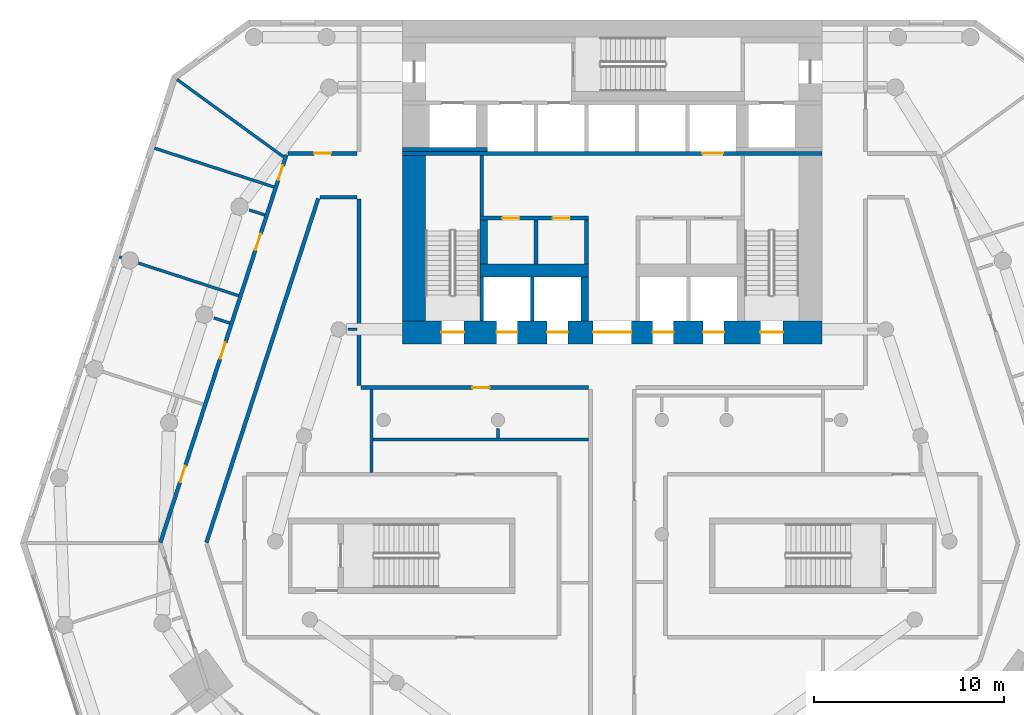
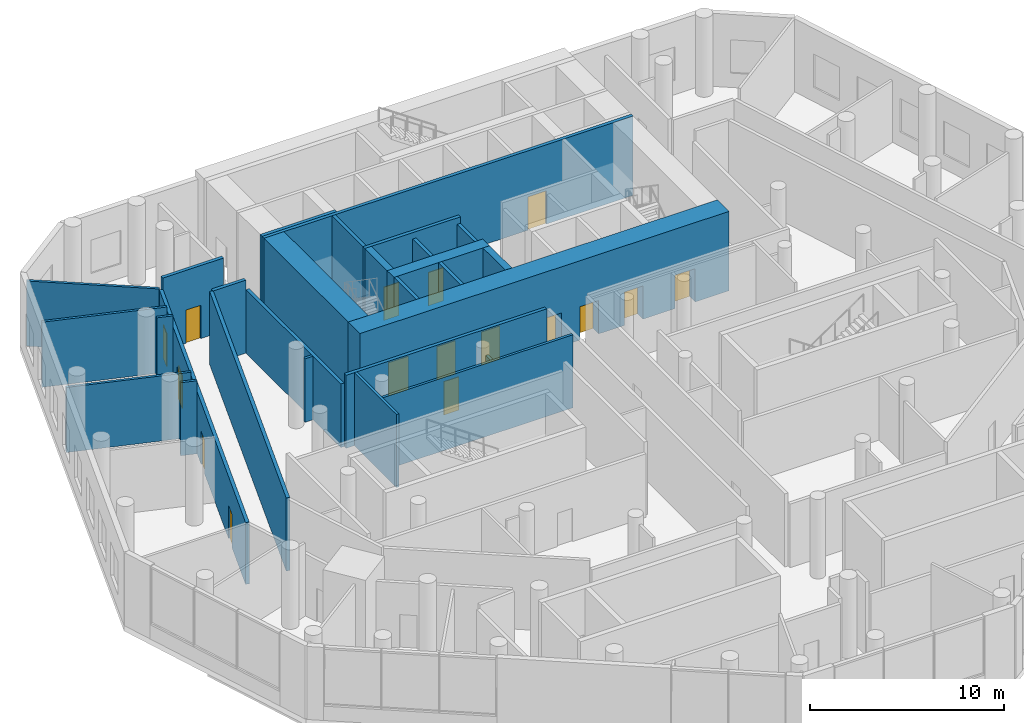
# One storey, part 10 of 15: 28 walls, 16 doors, 16 openings.
"""IFC4 building model written with IfcOpenShell, lengths in metres."""

from ifc_helpers import new_model, si_unit, direction, frame, frame_2d, origin, place, context, subcontext, project, spatial, rectangle, extrude, material, layer, layer_set, type_object, element, fill, save


model = new_model("IFC4")

# Units and contexts
model_context = context("Model", 3, precision=1e-05, world=origin(), true_north=direction((0.0, 1.0)))
body_context = subcontext(model_context, "Body", "Model", "MODEL_VIEW")
ifc_project = project(units=[si_unit("LENGTHUNIT", "METRE"), si_unit("AREAUNIT", "SQUARE_METRE"), si_unit("VOLUMEUNIT", "CUBIC_METRE"), si_unit("PLANEANGLEUNIT", "RADIAN"), si_unit("MASSUNIT", "GRAM", prefix="KILO")], contexts=[model_context])

# Site, building, storey
site_placement = place(None, origin())
site = spatial("IfcSite", under=ifc_project, at=site_placement, CompositionType="ELEMENT")
building_placement = place(site_placement, origin())
building = spatial("IfcBuilding", under=site, at=building_placement, Name="White Candle Pilgrim Tower", CompositionType="ELEMENT")
storey_placement = place(building_placement, frame((0.0, 0.0, 34.0)))
storey = spatial("IfcBuildingStorey", under=building, at=storey_placement, Name="L05", CompositionType="ELEMENT", Elevation=34.0)

# Wall
ifc_material_1 = material(Name="Concrete C70/85", Category="concrete")
ifc_layer_1 = layer(ifc_material_1, 0.199951171875)
ifc_layer_set_1 = layer_set([ifc_layer_1], Name="Core wall 200 mm Concrete C70/85")
wall_type_1 = type_object("IfcWallType", Name="Core wall 200 mm Concrete C70/85", PredefinedType="SHEAR", material=ifc_layer_set_1)
wall_1_placement = place(storey_placement, frame((59.0, 81.199951171875, 0.0), z_axis=(0.0, 0.0, 1.0), x_axis=(1.0, 0.0, 0.0)))
element("IfcWall", 1, at=wall_1_placement, inside=storey, type_object=wall_type_1, Name="WL-L05-C43", PredefinedType="SHEAR", context=body_context, shape_type="SweptSolid", body=[
    extrude(rectangle(XDim=4.449951171875, YDim=0.199951171875, at=frame_2d((2.22509765625, 0.0))), origin(), (0.0, 0.0, 1.0), 5.0),
])

# Wall, openings, doors
ifc_material_2 = material(Name="Gypsum board on steel studs", Category="steel")
ifc_layer_2 = layer(ifc_material_2, 0.199951171875)
ifc_layer_set_2 = layer_set([ifc_layer_2], Name="Corridor wall 200 mm EI 45")
wall_type_2 = type_object("IfcWallType", Name="Corridor wall 200 mm EI 45", PredefinedType="PARTITIONING", material=ifc_layer_set_2)
wall_2_placement = place(storey_placement, frame((46.279052734375, 60.570068359375, 0.0), z_axis=(0.0, 0.0, 1.0), x_axis=(0.309020575415, 0.951055352737, 0.0)))
wall_2 = element("IfcWall", 2, at=wall_2_placement, inside=storey, type_object=wall_type_2, Name="WL-L05-P005", PredefinedType="PARTITIONING", context=body_context, shape_type="SweptSolid", body=[
    extrude(rectangle(XDim=21.40869140625, YDim=0.199951171875, at=frame_2d((10.704345703125, 0.0))), origin(), (0.0, 0.0, 1.0), 3.89990234375),
])
opening_1_placement = place(wall_2_placement, frame((20.004638671875, 0.0, 0.0)))
opening_1 = element("IfcOpeningElement", 3, at=opening_1_placement, cuts=wall_2, Name="Opening L05-101", PredefinedType="OPENING", context=body_context, shape_type="SweptSolid", body=[
    extrude(rectangle(XDim=0.800048828125, YDim=2.10009765625, at=frame_2d((0.39990234375, 1.050048828125))), frame((0.0, 0.10986328125, 0.0), z_axis=(0.0, -1.0, 0.0), x_axis=(1.0, 0.0, 0.0)), (0.0, 0.0, 1.0), 0.219970703125),
])
opening_2_placement = place(wall_2_placement, frame((16.14208984375, 0.0, 0.0)))
opening_2 = element("IfcOpeningElement", 4, at=opening_2_placement, cuts=wall_2, Name="Opening L05-102", PredefinedType="OPENING", context=body_context, shape_type="SweptSolid", body=[
    extrude(rectangle(XDim=0.89990234375, YDim=2.10009765625, at=frame_2d((0.449951171875, 1.050048828125))), frame((0.0, 0.10986328125, 0.0), z_axis=(0.0, -1.0, 0.0), x_axis=(1.0, 0.0, 0.0)), (0.0, 0.0, 1.0), 0.219970703125),
])
opening_3_placement = place(wall_2_placement, frame((10.14208984375, 0.0, 0.0)))
opening_3 = element("IfcOpeningElement", 5, at=opening_3_placement, cuts=wall_2, Name="Opening L05-103", PredefinedType="OPENING", context=body_context, shape_type="SweptSolid", body=[
    extrude(rectangle(XDim=0.89990234375, YDim=2.10009765625, at=frame_2d((0.449951171875, 1.050048828125))), frame((0.0, 0.10986328125, 0.0), z_axis=(0.0, -1.0, 0.0), x_axis=(1.0, 0.0, 0.0)), (0.0, 0.0, 1.0), 0.219970703125),
])
opening_4_placement = place(wall_2_placement, frame((3.329833984375, 0.0, 0.0)))
opening_4 = element("IfcOpeningElement", 6, at=opening_4_placement, cuts=wall_2, Name="Opening L05-104", PredefinedType="OPENING", context=body_context, shape_type="SweptSolid", body=[
    extrude(rectangle(XDim=0.89990234375, YDim=2.10009765625, at=frame_2d((0.449951171875, 1.050048828125))), frame((0.0, 0.10986328125, 0.0), z_axis=(0.0, -1.0, 0.0), x_axis=(1.0, 0.0, 0.0)), (0.0, 0.0, 1.0), 0.219970703125),
])
ifc_material_3 = material(Name="Steel door leaf", Category="steel")
door_type_1 = type_object("IfcDoorType", Name="Fire door 800 x 2100 EI 30", OperationType="NOTDEFINED", PredefinedType="DOOR", material=ifc_material_3)
door_1_placement = place(opening_1_placement, origin())
door_1 = element("IfcDoor", 7, at=door_1_placement, inside=storey, type_object=door_type_1, Name="Door L05-101", OperationType="SINGLE_SWING_LEFT", OverallHeight=2.10009765625, OverallWidth=0.800048828125, PredefinedType="DOOR", context=body_context, shape_type="SweptSolid", body=[
    extrude(rectangle(XDim=0.800048828125, YDim=2.10009765625, at=frame_2d((0.39990234375, 1.050048828125))), frame((0.0, 0.02490234375, 0.0), z_axis=(0.0, -1.0, 0.0), x_axis=(1.0, 0.0, 0.0)), (0.0, 0.0, 1.0), 0.050048828125),
])
fill(opening_1, door_1)
door_type_2 = type_object("IfcDoorType", Name="Fire door 900 x 2100 EI 30", OperationType="NOTDEFINED", PredefinedType="DOOR", material=ifc_material_3)
door_2_placement = place(opening_2_placement, origin())
door_2 = element("IfcDoor", 8, at=door_2_placement, inside=storey, type_object=door_type_2, Name="Door L05-102", OperationType="SINGLE_SWING_RIGHT", OverallHeight=2.10009765625, OverallWidth=0.89990234375, PredefinedType="DOOR", context=body_context, shape_type="SweptSolid", body=[
    extrude(rectangle(XDim=0.89990234375, YDim=2.10009765625, at=frame_2d((0.449951171875, 1.050048828125))), frame((0.0, 0.02490234375, 0.0), z_axis=(0.0, -1.0, 0.0), x_axis=(1.0, 0.0, 0.0)), (0.0, 0.0, 1.0), 0.050048828125),
])
fill(opening_2, door_2)
door_3_placement = place(opening_3_placement, origin())
door_3 = element("IfcDoor", 9, at=door_3_placement, inside=storey, type_object=door_type_2, Name="Door L05-103", OperationType="SINGLE_SWING_LEFT", OverallHeight=2.10009765625, OverallWidth=0.89990234375, PredefinedType="DOOR", context=body_context, shape_type="SweptSolid", body=[
    extrude(rectangle(XDim=0.89990234375, YDim=2.10009765625, at=frame_2d((0.449951171875, 1.050048828125))), frame((0.0, 0.02490234375, 0.0), z_axis=(0.0, -1.0, 0.0), x_axis=(1.0, 0.0, 0.0)), (0.0, 0.0, 1.0), 0.050048828125),
])
fill(opening_3, door_3)
door_4_placement = place(opening_4_placement, origin())
door_4 = element("IfcDoor", 10, at=door_4_placement, inside=storey, type_object=door_type_2, Name="Door L05-104", OperationType="SINGLE_SWING_RIGHT", OverallHeight=2.10009765625, OverallWidth=0.89990234375, PredefinedType="DOOR", context=body_context, shape_type="SweptSolid", body=[
    extrude(rectangle(XDim=0.89990234375, YDim=2.10009765625, at=frame_2d((0.449951171875, 1.050048828125))), frame((0.0, 0.02490234375, 0.0), z_axis=(0.0, -1.0, 0.0), x_axis=(1.0, 0.0, 0.0)), (0.0, 0.0, 1.0), 0.050048828125),
])
fill(opening_4, door_4)

# Wall, opening, door
wall_3_placement = place(storey_placement, frame((52.989990234375, 81.0, 0.0), z_axis=(0.0, 0.0, 1.0), x_axis=(1.0, 0.0, 0.0)))
wall_3 = element("IfcWall", 11, at=wall_3_placement, inside=storey, type_object=wall_type_2, Name="WL-L05-P006", PredefinedType="PARTITIONING", context=body_context, shape_type="SweptSolid", body=[
    extrude(rectangle(XDim=3.610107421875, YDim=0.199951171875, at=frame_2d((1.80517578125, 0.0))), origin(), (0.0, 0.0, 1.0), 4.60009765625),
])
opening_5_placement = place(wall_3_placement, frame((1.35498046875, 0.0, 0.0)))
opening_5 = element("IfcOpeningElement", 12, at=opening_5_placement, cuts=wall_3, Name="Opening L05-128", PredefinedType="OPENING", context=body_context, shape_type="SweptSolid", body=[
    extrude(rectangle(XDim=0.89990234375, YDim=2.10009765625, at=frame_2d((0.449951171875, 1.050048828125))), frame((0.0, 0.10986328125, 0.0), z_axis=(0.0, -1.0, 0.0), x_axis=(1.0, 0.0, 0.0)), (0.0, 0.0, 1.0), 0.219970703125),
])
door_5_placement = place(opening_5_placement, origin())
door_5 = element("IfcDoor", 13, at=door_5_placement, inside=storey, type_object=door_type_2, Name="Door L05-128", OperationType="SINGLE_SWING_RIGHT", OverallHeight=2.10009765625, OverallWidth=0.89990234375, PredefinedType="DOOR", context=body_context, shape_type="SweptSolid", body=[
    extrude(rectangle(XDim=0.89990234375, YDim=2.10009765625, at=frame_2d((0.449951171875, 1.050048828125))), frame((0.0, 0.02490234375, 0.0), z_axis=(0.0, -1.0, 0.0), x_axis=(1.0, 0.0, 0.0)), (0.0, 0.0, 1.0), 0.050048828125),
])
fill(opening_5, door_5)

wall_4_placement = place(storey_placement, frame((68.75, 68.699951171875, 0.0), z_axis=(0.0, 0.0, 1.0), x_axis=(-1.0, 0.0, 0.0)))
wall_4 = element("IfcWall", 14, at=wall_4_placement, inside=storey, type_object=wall_type_2, Name="WL-L05-P028", PredefinedType="PARTITIONING", context=body_context, shape_type="SweptSolid", body=[
    extrude(rectangle(XDim=11.949951171875, YDim=0.199951171875, at=frame_2d((5.97509765625, 0.0))), origin(), (0.0, 0.0, 1.0), 4.60009765625),
])
opening_6_placement = place(wall_4_placement, frame((5.194580078125, 0.0, 0.0)))
opening_6 = element("IfcOpeningElement", 15, at=opening_6_placement, cuts=wall_4, Name="Opening L05-123", PredefinedType="OPENING", context=body_context, shape_type="SweptSolid", body=[
    extrude(rectangle(XDim=0.89990234375, YDim=2.10009765625, at=frame_2d((0.449951171875, 1.050048828125))), frame((0.0, 0.10986328125, 0.0), z_axis=(0.0, -1.0, 0.0), x_axis=(1.0, 0.0, 0.0)), (0.0, 0.0, 1.0), 0.219970703125),
])
door_6_placement = place(opening_6_placement, origin())
door_6 = element("IfcDoor", 16, at=door_6_placement, inside=storey, type_object=door_type_2, Name="Door L05-123", OperationType="SINGLE_SWING_LEFT", OverallHeight=2.10009765625, OverallWidth=0.89990234375, PredefinedType="DOOR", context=body_context, shape_type="SweptSolid", body=[
    extrude(rectangle(XDim=0.89990234375, YDim=2.10009765625, at=frame_2d((0.449951171875, 1.050048828125))), frame((0.0, 0.02490234375, 0.0), z_axis=(0.0, -1.0, 0.0), x_axis=(1.0, 0.0, 0.0)), (0.0, 0.0, 1.0), 0.050048828125),
])
fill(opening_6, door_6)

# Walls
wall_5_placement = place(storey_placement, frame((56.699951171875, 68.800048828125, 0.0), z_axis=(0.0, 0.0, 1.0), x_axis=(0.0, 1.0, 0.0)))
element("IfcWall", 17, at=wall_5_placement, inside=storey, type_object=wall_type_2, Name="WL-L05-P029", PredefinedType="PARTITIONING", context=body_context, shape_type="SweptSolid", body=[
    extrude(rectangle(XDim=9.800048828125, YDim=0.199951171875, at=frame_2d((4.89990234375, 0.0))), origin(), (0.0, 0.0, 1.0), 4.0),
])
wall_6_placement = place(storey_placement, frame((56.60009765625, 78.699951171875, 0.0), z_axis=(0.0, 0.0, 1.0), x_axis=(-1.0, 0.0, 0.0)))
element("IfcWall", 18, at=wall_6_placement, inside=storey, type_object=wall_type_2, Name="WL-L05-P030", PredefinedType="PARTITIONING", context=body_context, shape_type="SweptSolid", body=[
    extrude(rectangle(XDim=1.939208984375, YDim=0.199951171875, at=frame_2d((0.9697265625, 0.0))), origin(), (0.0, 0.0, 1.0), 4.60009765625),
])
wall_7_placement = place(storey_placement, frame((54.56591796875, 78.630859375, 0.0), z_axis=(0.0, 0.0, 1.0), x_axis=(-0.309021827521, -0.951054945897, 0.0)))
element("IfcWall", 19, at=wall_7_placement, inside=storey, type_object=wall_type_2, Name="WL-L05-P031", PredefinedType="PARTITIONING", context=body_context, shape_type="SweptSolid", body=[
    extrude(rectangle(XDim=18.990234375, YDim=0.199951171875, at=frame_2d((9.4951171875, 0.0))), origin(), (0.0, 0.0, 1.0), 4.60009765625),
])
ifc_layer_3 = layer(ifc_material_2, 0.199951171875)
ifc_layer_set_3 = layer_set([ifc_layer_3], Name="Lobby wall 200 mm EI 60")
wall_type_3 = type_object("IfcWallType", Name="Lobby wall 200 mm EI 60", PredefinedType="PARTITIONING", material=ifc_layer_set_3)
for number, where, z_axis, x_axis, name in (
    (20, (66.0, 75.199951171875, 0.0), (0.0, 0.0, 1.0), (0.0, 1.0, 0.0), "WL-L05-C33"),
    (21, (68.64990234375, 75.199951171875, 0.0), (0.0, 0.0, 1.0), (0.0, 1.0, 0.0), "WL-L05-C34"),
):
    element("IfcWall", number, at=place(storey_placement, frame(where, z_axis=z_axis, x_axis=x_axis)), inside=storey, type_object=wall_type_3, Name=name, PredefinedType="PARTITIONING", context=body_context, shape_type="SweptSolid", body=[
        extrude(rectangle(XDim=2.300048828125, YDim=0.199951171875, at=frame_2d((1.14990234375, 0.0))), origin(), (0.0, 0.0, 1.0), 4.60009765625),
    ])
ifc_layer_4 = layer(ifc_material_2, 0.14990234375)
ifc_layer_set_4 = layer_set([ifc_layer_4], Name="Partition 150 mm EI 60")
wall_type_4 = type_object("IfcWallType", Name="Partition 150 mm EI 60", PredefinedType="PARTITIONING", material=ifc_layer_set_4)
wall_8_placement = place(storey_placement, frame((47.1533203125, 84.876953125, 0.0), z_axis=(0.0, 0.0, 1.0), x_axis=(0.809014705012, -0.587788403317, 0.0)))
element("IfcWall", 22, at=wall_8_placement, inside=storey, type_object=wall_type_4, Name="WL-L05-P044", PredefinedType="PARTITIONING", context=body_context, shape_type="SweptSolid", body=[
    extrude(rectangle(XDim=6.89404296875, YDim=0.14990234375, at=frame_2d((3.447021484375, 0.0))), origin(), (0.0, 0.0, 1.0), 4.10009765625),
])
wall_9_placement = place(storey_placement, frame((45.98046875, 81.267578125, 0.0), z_axis=(0.0, 0.0, 1.0), x_axis=(0.951060241863, -0.309005528021, 0.0)))
element("IfcWall", 23, at=wall_9_placement, inside=storey, type_object=wall_type_4, Name="WL-L05-P052", PredefinedType="PARTITIONING", context=body_context, shape_type="SweptSolid", body=[
    extrude(rectangle(XDim=6.579833984375, YDim=0.14990234375, at=frame_2d((3.2900390625, 0.0))), origin(), (0.0, 0.0, 1.0), 4.10009765625),
])
wall_10_placement = place(storey_placement, frame((44.126220703125, 75.561279296875, 0.0), z_axis=(0.0, 0.0, 1.0), x_axis=(0.95105288048, -0.309028184041, 0.0)))
element("IfcWall", 24, at=wall_10_placement, inside=storey, type_object=wall_type_4, Name="WL-L05-P053", PredefinedType="PARTITIONING", context=body_context, shape_type="SweptSolid", body=[
    extrude(rectangle(XDim=6.580078125, YDim=0.14990234375, at=frame_2d((3.2900390625, 0.0))), origin(), (0.0, 0.0, 1.0), 4.10009765625),
])
wall_11_placement = place(storey_placement, frame((57.36083984375, 64.25, 0.0), z_axis=(0.0, 0.0, 1.0), x_axis=(0.0, 1.0, 0.0)))
element("IfcWall", 25, at=wall_11_placement, inside=storey, type_object=wall_type_4, Name="WL-L05-P063", PredefinedType="PARTITIONING", context=body_context, shape_type="SweptSolid", body=[
    extrude(rectangle(XDim=4.35009765625, YDim=0.14990234375, at=frame_2d((2.175048828125, 0.0))), origin(), (0.0, 0.0, 1.0), 4.60009765625),
])
wall_12_placement = place(storey_placement, frame((57.435791015625, 65.98291015625, 0.0), z_axis=(0.0, 0.0, 1.0), x_axis=(1.0, 0.0, 0.0)))
element("IfcWall", 26, at=wall_12_placement, inside=storey, type_object=wall_type_4, Name="WL-L05-P066", PredefinedType="PARTITIONING", context=body_context, shape_type="SweptSolid", body=[
    extrude(rectangle(XDim=11.314208984375, YDim=0.14990234375, at=frame_2d((5.6572265625, 0.0))), origin(), (0.0, 0.0, 1.0), 4.60009765625),
])
wall_13_placement = place(storey_placement, frame((50.942138671875, 78.02880859375, 0.0), z_axis=(0.0, 0.0, 1.0), x_axis=(0.951040325466, -0.309066820183, 0.0)))
element("IfcWall", 27, at=wall_13_placement, inside=storey, type_object=wall_type_4, Name="WL-L05-P079", PredefinedType="PARTITIONING", context=body_context, shape_type="SweptSolid", body=[
    extrude(rectangle(XDim=0.8603515625, YDim=0.14990234375, at=frame_2d((0.43017578125, 0.0))), origin(), (0.0, 0.0, 1.0), 4.60009765625),
])
wall_14_placement = place(storey_placement, frame((49.092041015625, 72.35888671875, 0.0), z_axis=(0.0, 0.0, 1.0), x_axis=(0.951075416717, -0.308958818803, 0.0)))
element("IfcWall", 28, at=wall_14_placement, inside=storey, type_object=wall_type_4, Name="WL-L05-P080", PredefinedType="PARTITIONING", context=body_context, shape_type="SweptSolid", body=[
    extrude(rectangle(XDim=0.86767578125, YDim=0.14990234375, at=frame_2d((0.433837890625, 0.0))), origin(), (0.0, 0.0, 1.0), 4.60009765625),
])
wall_15_placement = place(storey_placement, frame((56.1298828125, 71.76220703125, 0.0), z_axis=(0.0, 0.0, 1.0), x_axis=(1.0, 0.0, 0.0)))
element("IfcWall", 29, at=wall_15_placement, inside=storey, type_object=wall_type_4, Name="WL-L05-P087", PredefinedType="PARTITIONING", context=body_context, shape_type="SweptSolid", body=[
    extrude(rectangle(XDim=0.47021484375, YDim=0.14990234375, at=frame_2d((0.235107421875, 0.0))), origin(), (0.0, 0.0, 1.0), 4.0),
])
wall_16_placement = place(storey_placement, frame((64.002197265625, 66.56005859375, 0.0), z_axis=(0.0, 0.0, 1.0), x_axis=(0.0, -1.0, 0.0)))
element("IfcWall", 30, at=wall_16_placement, inside=storey, type_object=wall_type_4, Name="WL-L05-P089", PredefinedType="PARTITIONING", context=body_context, shape_type="SweptSolid", body=[
    extrude(rectangle(XDim=0.502197265625, YDim=0.14990234375, at=frame_2d((0.2509765625, 0.0))), origin(), (0.0, 0.0, 1.0), 4.60009765625),
])
ifc_layer_5 = layer(ifc_material_1, 0.199951171875)
ifc_layer_set_5 = layer_set([ifc_layer_5], Name="Shaft wall 200 mm Concrete C70/85")
wall_type_5 = type_object("IfcWallType", Name="Shaft wall 200 mm Concrete C70/85", PredefinedType="SHEAR", material=ifc_layer_set_5)
wall_17_placement = place(storey_placement, frame((65.800048828125, 72.199951171875, 0.0), z_axis=(0.0, 0.0, 1.0), x_axis=(0.0, 1.0, 0.0)))
element("IfcWall", 31, at=wall_17_placement, inside=storey, type_object=wall_type_5, Name="WL-L05-C24", PredefinedType="SHEAR", context=body_context, shape_type="SweptSolid", body=[
    extrude(rectangle(XDim=2.300048828125, YDim=0.199951171875, at=frame_2d((1.14990234375, 0.0))), origin(), (0.0, 0.0, 1.0), 5.0),
])
ifc_layer_6 = layer(ifc_material_1, 0.39990234375)
ifc_layer_set_6 = layer_set([ifc_layer_6], Name="Shaft wall 400 mm Concrete C70/85")
wall_type_6 = type_object("IfcWallType", Name="Shaft wall 400 mm Concrete C70/85", PredefinedType="SHEAR", material=ifc_layer_set_6)
wall_18_placement = place(storey_placement, frame((68.550048828125, 72.199951171875, 0.0), z_axis=(0.0, 0.0, 1.0), x_axis=(0.0, 1.0, 0.0)))
element("IfcWall", 32, at=wall_18_placement, inside=storey, type_object=wall_type_6, Name="WL-L05-C25", PredefinedType="SHEAR", context=body_context, shape_type="SweptSolid", body=[
    extrude(rectangle(XDim=2.300048828125, YDim=0.39990234375, at=frame_2d((1.14990234375, 0.0))), origin(), (0.0, 0.0, 1.0), 5.0),
])

# Wall, openings, doors
ifc_layer_7 = layer(ifc_material_1, 1.199951171875)
ifc_layer_set_7 = layer_set([ifc_layer_7], Name="Stair shaft wall 1200 mm Concrete C70/85")
wall_type_7 = type_object("IfcWallType", Name="Stair shaft wall 1200 mm Concrete C70/85", PredefinedType="SHEAR", material=ifc_layer_set_7)
wall_19_placement = place(storey_placement, frame((59.0, 71.60009765625, 0.0), z_axis=(0.0, 0.0, 1.0), x_axis=(1.0, 0.0, 0.0)))
wall_19 = element("IfcWall", 33, at=wall_19_placement, inside=storey, type_object=wall_type_7, Name="WL-L05-C21", PredefinedType="SHEAR", context=body_context, shape_type="SweptSolid", body=[
    extrude(rectangle(XDim=22.0, YDim=1.199951171875, at=frame_2d((11.0, 0.0))), origin(), (0.0, 0.0, 1.0), 5.0),
])
opening_7_placement = place(wall_19_placement, frame((2.02490234375, 0.0, 0.0)))
opening_7 = element("IfcOpeningElement", 34, at=opening_7_placement, cuts=wall_19, Name="Opening L05-001", PredefinedType="OPENING", context=body_context, shape_type="SweptSolid", body=[
    extrude(rectangle(XDim=1.199951171875, YDim=2.10009765625, at=frame_2d((0.60009765625, 1.050048828125))), frame((0.0, 0.60986328125, 0.0), z_axis=(0.0, -1.0, 0.0), x_axis=(1.0, 0.0, 0.0)), (0.0, 0.0, 1.0), 1.219970703125),
])
opening_8_placement = place(wall_19_placement, frame((18.77490234375, 0.0, 0.0)))
opening_8 = element("IfcOpeningElement", 35, at=opening_8_placement, cuts=wall_19, Name="Opening L05-002", PredefinedType="OPENING", context=body_context, shape_type="SweptSolid", body=[
    extrude(rectangle(XDim=1.199951171875, YDim=2.10009765625, at=frame_2d((0.60009765625, 1.050048828125))), frame((0.0, 0.60986328125, 0.0), z_axis=(0.0, -1.0, 0.0), x_axis=(1.0, 0.0, 0.0)), (0.0, 0.0, 1.0), 1.219970703125),
])
opening_9_placement = place(wall_19_placement, frame((10.0, 0.0, 0.0)))
opening_9 = element("IfcOpeningElement", 36, at=opening_9_placement, cuts=wall_19, Name="Opening L05-004", PredefinedType="OPENING", context=body_context, shape_type="SweptSolid", body=[
    extrude(rectangle(XDim=2.0, YDim=2.10009765625, at=frame_2d((1.0, 1.050048828125))), frame((0.0, 0.60986328125, 0.0), z_axis=(0.0, -1.0, 0.0), x_axis=(1.0, 0.0, 0.0)), (0.0, 0.0, 1.0), 1.219970703125),
])
opening_10_placement = place(wall_19_placement, frame((4.925048828125, 0.0, 0.0)))
opening_10 = element("IfcOpeningElement", 37, at=opening_10_placement, cuts=wall_19, Name="Opening L05-018", PredefinedType="OPENING", context=body_context, shape_type="SweptSolid", body=[
    extrude(rectangle(XDim=1.10009765625, YDim=2.10009765625, at=frame_2d((0.550048828125, 1.050048828125))), frame((0.0, 0.60986328125, 0.0), z_axis=(0.0, -1.0, 0.0), x_axis=(1.0, 0.0, 0.0)), (0.0, 0.0, 1.0), 1.219970703125),
])
opening_11_placement = place(wall_19_placement, frame((7.574951171875, 0.0, 0.0)))
opening_11 = element("IfcOpeningElement", 38, at=opening_11_placement, cuts=wall_19, Name="Opening L05-019", PredefinedType="OPENING", context=body_context, shape_type="SweptSolid", body=[
    extrude(rectangle(XDim=1.10009765625, YDim=2.10009765625, at=frame_2d((0.550048828125, 1.050048828125))), frame((0.0, 0.60986328125, 0.0), z_axis=(0.0, -1.0, 0.0), x_axis=(1.0, 0.0, 0.0)), (0.0, 0.0, 1.0), 1.219970703125),
])
opening_12_placement = place(wall_19_placement, frame((13.125, 0.0, 0.0)))
opening_12 = element("IfcOpeningElement", 39, at=opening_12_placement, cuts=wall_19, Name="Opening L05-020", PredefinedType="OPENING", context=body_context, shape_type="SweptSolid", body=[
    extrude(rectangle(XDim=1.10009765625, YDim=2.10009765625, at=frame_2d((0.550048828125, 1.050048828125))), frame((0.0, 0.60986328125, 0.0), z_axis=(0.0, -1.0, 0.0), x_axis=(1.0, 0.0, 0.0)), (0.0, 0.0, 1.0), 1.219970703125),
])
opening_13_placement = place(wall_19_placement, frame((15.77490234375, 0.0, 0.0)))
opening_13 = element("IfcOpeningElement", 40, at=opening_13_placement, cuts=wall_19, Name="Opening L05-021", PredefinedType="OPENING", context=body_context, shape_type="SweptSolid", body=[
    extrude(rectangle(XDim=1.10009765625, YDim=2.10009765625, at=frame_2d((0.550048828125, 1.050048828125))), frame((0.0, 0.60986328125, 0.0), z_axis=(0.0, -1.0, 0.0), x_axis=(1.0, 0.0, 0.0)), (0.0, 0.0, 1.0), 1.219970703125),
])
door_type_3 = type_object("IfcDoorType", Name="Fire door 1200 x 2100 EI 60", OperationType="NOTDEFINED", PredefinedType="DOOR", material=ifc_material_3)
door_7_placement = place(opening_7_placement, frame((1.199951171875, 0.0, 0.0), z_axis=(0.0, 0.0, 1.0), x_axis=(-1.0, 0.0, 0.0)))
door_7 = element("IfcDoor", 41, at=door_7_placement, inside=storey, type_object=door_type_3, Name="Door L05-001", OperationType="SINGLE_SWING_RIGHT", OverallHeight=2.10009765625, OverallWidth=1.199951171875, PredefinedType="DOOR", context=body_context, shape_type="SweptSolid", body=[
    extrude(rectangle(XDim=1.199951171875, YDim=2.10009765625, at=frame_2d((0.60009765625, 1.050048828125))), frame((0.0, 0.02490234375, 0.0), z_axis=(0.0, -1.0, 0.0), x_axis=(1.0, 0.0, 0.0)), (0.0, 0.0, 1.0), 0.050048828125),
])
fill(opening_7, door_7)
door_8_placement = place(opening_8_placement, frame((1.199951171875, 0.0, 0.0), z_axis=(0.0, 0.0, 1.0), x_axis=(-1.0, 0.0, 0.0)))
door_8 = element("IfcDoor", 42, at=door_8_placement, inside=storey, type_object=door_type_3, Name="Door L05-002", OperationType="SINGLE_SWING_LEFT", OverallHeight=2.10009765625, OverallWidth=1.199951171875, PredefinedType="DOOR", context=body_context, shape_type="SweptSolid", body=[
    extrude(rectangle(XDim=1.199951171875, YDim=2.10009765625, at=frame_2d((0.60009765625, 1.050048828125))), frame((0.0, 0.02490234375, 0.0), z_axis=(0.0, -1.0, 0.0), x_axis=(1.0, 0.0, 0.0)), (0.0, 0.0, 1.0), 0.050048828125),
])
fill(opening_8, door_8)
door_type_4 = type_object("IfcDoorType", Name="Fire door 2000 x 2100 EI 60", OperationType="NOTDEFINED", PredefinedType="DOOR", material=ifc_material_3)
door_9_placement = place(opening_9_placement, frame((2.0, 0.0, 0.0), z_axis=(0.0, 0.0, 1.0), x_axis=(-1.0, 0.0, 0.0)))
door_9 = element("IfcDoor", 43, at=door_9_placement, inside=storey, type_object=door_type_4, Name="Door L05-004", OperationType="DOUBLE_DOOR_SINGLE_SWING", OverallHeight=2.10009765625, OverallWidth=2.0, PredefinedType="DOOR", context=body_context, shape_type="SweptSolid", body=[
    extrude(rectangle(XDim=2.0, YDim=2.10009765625, at=frame_2d((1.0, 1.050048828125))), frame((0.0, 0.02490234375, 0.0), z_axis=(0.0, -1.0, 0.0), x_axis=(1.0, 0.0, 0.0)), (0.0, 0.0, 1.0), 0.050048828125),
])
fill(opening_9, door_9)
ifc_material_4 = material(Name="Stainless steel", Category="steel")
door_type_5 = type_object("IfcDoorType", Name="Lift landing door 1100 x 2100 E 60", OperationType="DOUBLE_DOOR_SLIDING", PredefinedType="DOOR", material=ifc_material_4)
door_10_placement = place(opening_10_placement, origin())
door_10 = element("IfcDoor", 44, at=door_10_placement, inside=storey, type_object=door_type_5, Name="Door L05-018", OperationType="DOUBLE_DOOR_SLIDING", OverallHeight=2.10009765625, OverallWidth=1.10009765625, PredefinedType="DOOR", context=body_context, shape_type="SweptSolid", body=[
    extrude(rectangle(XDim=1.10009765625, YDim=2.10009765625, at=frame_2d((0.550048828125, 1.050048828125))), frame((0.0, 0.02490234375, 0.0), z_axis=(0.0, -1.0, 0.0), x_axis=(1.0, 0.0, 0.0)), (0.0, 0.0, 1.0), 0.050048828125),
])
fill(opening_10, door_10)
door_11_placement = place(opening_11_placement, origin())
door_11 = element("IfcDoor", 45, at=door_11_placement, inside=storey, type_object=door_type_5, Name="Door L05-019", OperationType="DOUBLE_DOOR_SLIDING", OverallHeight=2.10009765625, OverallWidth=1.10009765625, PredefinedType="DOOR", context=body_context, shape_type="SweptSolid", body=[
    extrude(rectangle(XDim=1.10009765625, YDim=2.10009765625, at=frame_2d((0.550048828125, 1.050048828125))), frame((0.0, 0.02490234375, 0.0), z_axis=(0.0, -1.0, 0.0), x_axis=(1.0, 0.0, 0.0)), (0.0, 0.0, 1.0), 0.050048828125),
])
fill(opening_11, door_11)
door_12_placement = place(opening_12_placement, origin())
door_12 = element("IfcDoor", 46, at=door_12_placement, inside=storey, type_object=door_type_5, Name="Door L05-020", OperationType="DOUBLE_DOOR_SLIDING", OverallHeight=2.10009765625, OverallWidth=1.10009765625, PredefinedType="DOOR", context=body_context, shape_type="SweptSolid", body=[
    extrude(rectangle(XDim=1.10009765625, YDim=2.10009765625, at=frame_2d((0.550048828125, 1.050048828125))), frame((0.0, 0.02490234375, 0.0), z_axis=(0.0, -1.0, 0.0), x_axis=(1.0, 0.0, 0.0)), (0.0, 0.0, 1.0), 0.050048828125),
])
fill(opening_12, door_12)
door_13_placement = place(opening_13_placement, origin())
door_13 = element("IfcDoor", 47, at=door_13_placement, inside=storey, type_object=door_type_5, Name="Door L05-021", OperationType="DOUBLE_DOOR_SLIDING", OverallHeight=2.10009765625, OverallWidth=1.10009765625, PredefinedType="DOOR", context=body_context, shape_type="SweptSolid", body=[
    extrude(rectangle(XDim=1.10009765625, YDim=2.10009765625, at=frame_2d((0.550048828125, 1.050048828125))), frame((0.0, 0.02490234375, 0.0), z_axis=(0.0, -1.0, 0.0), x_axis=(1.0, 0.0, 0.0)), (0.0, 0.0, 1.0), 0.050048828125),
])
fill(opening_13, door_13)

# Walls
wall_20_placement = place(storey_placement, frame((59.60009765625, 72.199951171875, 0.0), z_axis=(0.0, 0.0, 1.0), x_axis=(0.0, 1.0, 0.0)))
element("IfcWall", 48, at=wall_20_placement, inside=storey, type_object=wall_type_7, Name="WL-L05-C22", PredefinedType="SHEAR", context=body_context, shape_type="SweptSolid", body=[
    extrude(rectangle(XDim=8.699951171875, YDim=1.199951171875, at=frame_2d((4.35009765625, 0.0))), origin(), (0.0, 0.0, 1.0), 5.0),
])
ifc_layer_8 = layer(ifc_material_1, 0.199951171875)
ifc_layer_set_8 = layer_set([ifc_layer_8], Name="Stair shaft wall 200 mm Concrete C70/85")
wall_type_8 = type_object("IfcWallType", Name="Stair shaft wall 200 mm Concrete C70/85", PredefinedType="SHEAR", material=ifc_layer_set_8)
wall_21_placement = place(storey_placement, frame((63.14990234375, 72.199951171875, 0.0), z_axis=(0.0, 0.0, 1.0), x_axis=(0.0, 1.0, 0.0)))
element("IfcWall", 49, at=wall_21_placement, inside=storey, type_object=wall_type_8, Name="WL-L05-C23", PredefinedType="SHEAR", context=body_context, shape_type="SweptSolid", body=[
    extrude(rectangle(XDim=2.300048828125, YDim=0.199951171875, at=frame_2d((1.14990234375, 0.0))), origin(), (0.0, 0.0, 1.0), 5.0),
])

# Wall, openings, doors
wall_22_placement = place(storey_placement, frame((63.050048828125, 77.60009765625, 0.0), z_axis=(0.0, 0.0, 1.0), x_axis=(1.0, 0.0, 0.0)))
wall_22 = element("IfcWall", 50, at=wall_22_placement, inside=storey, type_object=wall_type_8, Name="WL-L05-C38", PredefinedType="SHEAR", context=body_context, shape_type="SweptSolid", body=[
    extrude(rectangle(XDim=5.699951171875, YDim=0.199951171875, at=frame_2d((2.85009765625, 0.0))), origin(), (0.0, 0.0, 1.0), 5.0),
])
opening_14_placement = place(wall_22_placement, frame((1.175048828125, 0.0, 0.0)))
opening_14 = element("IfcOpeningElement", 51, at=opening_14_placement, cuts=wall_22, Name="Opening L05-024", PredefinedType="OPENING", context=body_context, shape_type="SweptSolid", body=[
    extrude(rectangle(XDim=0.89990234375, YDim=2.10009765625, at=frame_2d((0.449951171875, 1.050048828125))), frame((0.0, 0.10986328125, 0.0), z_axis=(0.0, -1.0, 0.0), x_axis=(1.0, 0.0, 0.0)), (0.0, 0.0, 1.0), 0.219970703125),
])
opening_15_placement = place(wall_22_placement, frame((3.824951171875, 0.0, 0.0)))
opening_15 = element("IfcOpeningElement", 52, at=opening_15_placement, cuts=wall_22, Name="Opening L05-025", PredefinedType="OPENING", context=body_context, shape_type="SweptSolid", body=[
    extrude(rectangle(XDim=0.89990234375, YDim=2.10009765625, at=frame_2d((0.449951171875, 1.050048828125))), frame((0.0, 0.10986328125, 0.0), z_axis=(0.0, -1.0, 0.0), x_axis=(1.0, 0.0, 0.0)), (0.0, 0.0, 1.0), 0.219970703125),
])
door_14_placement = place(opening_14_placement, origin())
door_14 = element("IfcDoor", 53, at=door_14_placement, inside=storey, type_object=door_type_2, Name="Door L05-024", OperationType="SINGLE_SWING_RIGHT", OverallHeight=2.10009765625, OverallWidth=0.89990234375, PredefinedType="DOOR", context=body_context, shape_type="SweptSolid", body=[
    extrude(rectangle(XDim=0.89990234375, YDim=2.10009765625, at=frame_2d((0.449951171875, 1.050048828125))), frame((0.0, 0.02490234375, 0.0), z_axis=(0.0, -1.0, 0.0), x_axis=(1.0, 0.0, 0.0)), (0.0, 0.0, 1.0), 0.050048828125),
])
fill(opening_14, door_14)
door_15_placement = place(opening_15_placement, origin())
door_15 = element("IfcDoor", 54, at=door_15_placement, inside=storey, type_object=door_type_2, Name="Door L05-025", OperationType="SINGLE_SWING_LEFT", OverallHeight=2.10009765625, OverallWidth=0.89990234375, PredefinedType="DOOR", context=body_context, shape_type="SweptSolid", body=[
    extrude(rectangle(XDim=0.89990234375, YDim=2.10009765625, at=frame_2d((0.449951171875, 1.050048828125))), frame((0.0, 0.02490234375, 0.0), z_axis=(0.0, -1.0, 0.0), x_axis=(1.0, 0.0, 0.0)), (0.0, 0.0, 1.0), 0.050048828125),
])
fill(opening_15, door_15)

# Wall
wall_23_placement = place(storey_placement, frame((63.14990234375, 77.699951171875, 0.0), z_axis=(0.0, 0.0, 1.0), x_axis=(0.0, 1.0, 0.0)))
element("IfcWall", 55, at=wall_23_placement, inside=storey, type_object=wall_type_8, Name="WL-L05-C40", PredefinedType="SHEAR", context=body_context, shape_type="SweptSolid", body=[
    extrude(rectangle(XDim=3.199951171875, YDim=0.199951171875, at=frame_2d((1.60009765625, 0.0))), origin(), (0.0, 0.0, 1.0), 5.0),
])

# Wall, opening, door
wall_24_placement = place(storey_placement, frame((59.0, 81.0, 0.0), z_axis=(0.0, 0.0, 1.0), x_axis=(1.0, 0.0, 0.0)))
wall_24 = element("IfcWall", 56, at=wall_24_placement, inside=storey, type_object=wall_type_8, Name="WL-L05-C42", PredefinedType="SHEAR", context=body_context, shape_type="SweptSolid", body=[
    extrude(rectangle(XDim=22.0, YDim=0.199951171875, at=frame_2d((11.0, 0.0))), origin(), (0.0, 0.0, 1.0), 5.0),
])
opening_16_placement = place(wall_24_placement, frame((15.72509765625, 0.0, 0.0)))
opening_16 = element("IfcOpeningElement", 57, at=opening_16_placement, cuts=wall_24, Name="Opening L05-017", PredefinedType="OPENING", context=body_context, shape_type="SweptSolid", body=[
    extrude(rectangle(XDim=1.10009765625, YDim=2.10009765625, at=frame_2d((0.550048828125, 1.050048828125))), frame((0.0, 0.10986328125, 0.0), z_axis=(0.0, -1.0, 0.0), x_axis=(1.0, 0.0, 0.0)), (0.0, 0.0, 1.0), 0.219970703125),
])
door_16_placement = place(opening_16_placement, origin())
door_16 = element("IfcDoor", 58, at=door_16_placement, inside=storey, type_object=door_type_5, Name="Door L05-017", OperationType="DOUBLE_DOOR_SLIDING", OverallHeight=2.10009765625, OverallWidth=1.10009765625, PredefinedType="DOOR", context=body_context, shape_type="SweptSolid", body=[
    extrude(rectangle(XDim=1.10009765625, YDim=2.10009765625, at=frame_2d((0.550048828125, 1.050048828125))), frame((0.0, 0.02490234375, 0.0), z_axis=(0.0, -1.0, 0.0), x_axis=(1.0, 0.0, 0.0)), (0.0, 0.0, 1.0), 0.050048828125),
])
fill(opening_16, door_16)

# Walls
ifc_layer_9 = layer(ifc_material_1, 0.39990234375)
ifc_layer_set_9 = layer_set([ifc_layer_9], Name="Stair shaft wall 400 mm Concrete C70/85")
wall_type_9 = type_object("IfcWallType", Name="Stair shaft wall 400 mm Concrete C70/85", PredefinedType="SHEAR", material=ifc_layer_set_9)
wall_25_placement = place(storey_placement, frame((63.25, 75.199951171875, 0.0), z_axis=(0.0, 0.0, 1.0), x_axis=(0.0, 1.0, 0.0)))
element("IfcWall", 59, at=wall_25_placement, inside=storey, type_object=wall_type_9, Name="WL-L05-C32", PredefinedType="SHEAR", context=body_context, shape_type="SweptSolid", body=[
    extrude(rectangle(XDim=2.300048828125, YDim=0.39990234375, at=frame_2d((1.14990234375, 0.0))), origin(), (0.0, 0.0, 1.0), 5.0),
])
ifc_layer_10 = layer(ifc_material_1, 0.699951171875)
ifc_layer_set_10 = layer_set([ifc_layer_10], Name="Stair shaft wall 700 mm Concrete C70/85")
wall_type_10 = type_object("IfcWallType", Name="Stair shaft wall 700 mm Concrete C70/85", PredefinedType="SHEAR", material=ifc_layer_set_10)
wall_26_placement = place(storey_placement, frame((63.050048828125, 74.85009765625, 0.0), z_axis=(0.0, 0.0, 1.0), x_axis=(1.0, 0.0, 0.0)))
element("IfcWall", 60, at=wall_26_placement, inside=storey, type_object=wall_type_10, Name="WL-L05-C30", PredefinedType="SHEAR", context=body_context, shape_type="SweptSolid", body=[
    extrude(rectangle(XDim=5.699951171875, YDim=0.699951171875, at=frame_2d((2.85009765625, 0.0))), origin(), (0.0, 0.0, 1.0), 5.0),
])

save(model, "model.ifc")
